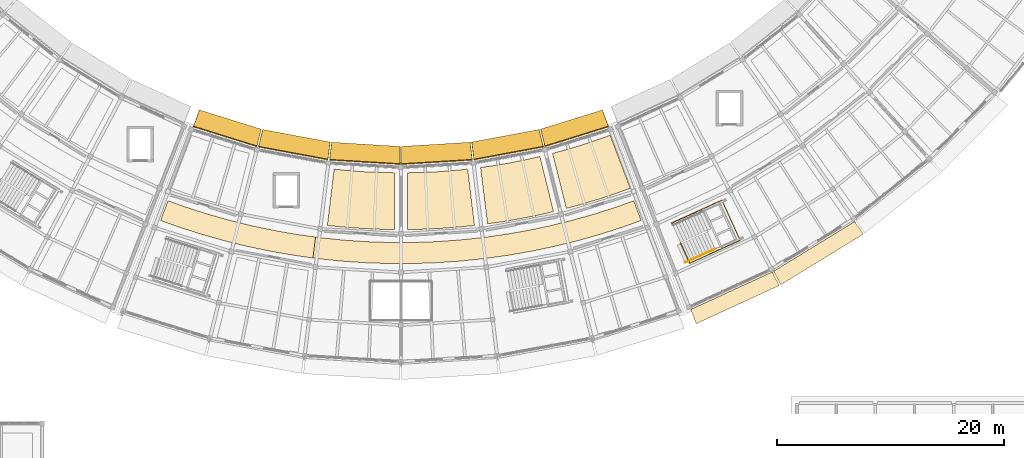
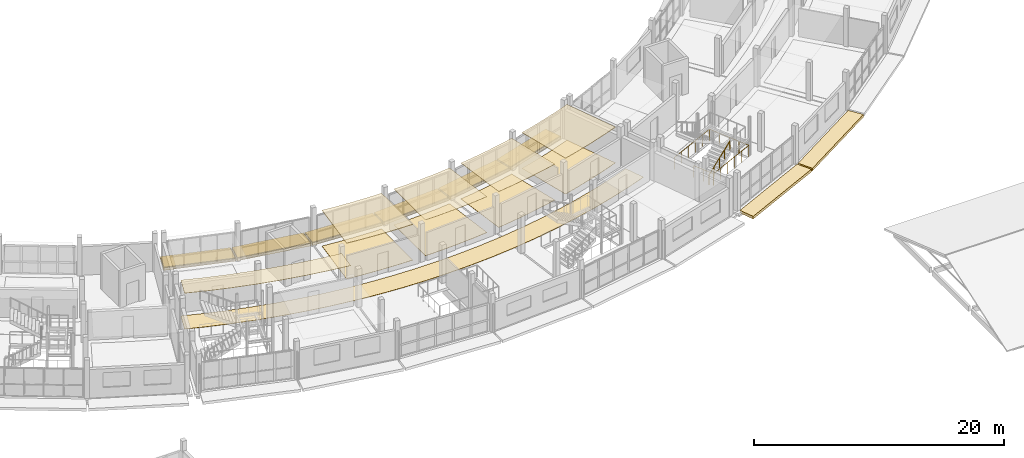
# One storey, part 64 of 66: 18 coverings, 6 shading devices, 2 railings.
"""IFC4 building model written with IfcOpenShell, lengths in metres."""

from ifc_helpers import new_model, si_unit, direction, frame, origin, origin_2d, place, context, subcontext, project, spatial, polyline, circle, outline, extrude, material, layer, layer_set, type_object, element, save


model = new_model("IFC4")

# Units and contexts
model_context = context("Model", 3, precision=1e-05, world=origin(), true_north=direction((0.0, 1.0)))
body_context = subcontext(model_context, "Body", "Model", "MODEL_VIEW")
ifc_project = project(units=[si_unit("LENGTHUNIT", "METRE"), si_unit("AREAUNIT", "SQUARE_METRE"), si_unit("VOLUMEUNIT", "CUBIC_METRE"), si_unit("PLANEANGLEUNIT", "RADIAN"), si_unit("MASSUNIT", "GRAM", prefix="KILO")], contexts=[model_context])

# Site, building, storey
site_placement = place(None, origin())
site = spatial("IfcSite", under=ifc_project, at=site_placement, CompositionType="ELEMENT")
building_placement = place(site_placement, origin())
building = spatial("IfcBuilding", under=site, at=building_placement, Name="Caldaven Crescent School", CompositionType="ELEMENT")
storey_placement = place(building_placement, frame((0.0, 0.0, 8.159912109375)))
storey = spatial("IfcBuildingStorey", under=building, at=storey_placement, Name="L02", CompositionType="ELEMENT", Elevation=8.159912109375)

# Coverings
ifc_material_1 = material(Name="White architectural GFRC precast concrete C35/45 cladding", Category="concrete")
ifc_layer_1 = layer(ifc_material_1, 0.260009765625)
ifc_layer_set_1 = layer_set([ifc_layer_1], Name="White architectural GFRC precast concrete C35/45 cladding")
covering_type_1 = type_object("IfcCoveringType", Name="COV-CLD1", PredefinedType="CLADDING", material=ifc_layer_set_1)
covering_1_placement = place(storey_placement, frame((0.0, 0.0, -0.260009765625)))
element("IfcCovering", 1, at=covering_1_placement, inside=storey, type_object=covering_type_1, Name="CLD-IN-L02-041", PredefinedType="CLADDING", context=body_context, shape_type="SweptSolid", body=[
    extrude(outline(polyline([(70.241943359375, 48.618408203125), (75.707275390625, 46.915771484375), (75.318603515625, 45.36376953125), (69.680419921875, 47.120361328125), (70.241943359375, 48.618408203125)])), origin(), (0.0, 0.0, 1.0), 0.260009765625),
])
covering_2_placement = place(storey_placement, frame((0.0, 0.0, -0.260009765625)))
element("IfcCovering", 2, at=covering_2_placement, inside=storey, type_object=covering_type_1, Name="CLD-IN-L02-043", PredefinedType="CLADDING", context=body_context, shape_type="SweptSolid", body=[
    extrude(outline(polyline([(75.81005859375, 46.89013671875), (81.78076171875, 45.78369140625), (81.584228515625, 44.19580078125), (75.4248046875, 45.33740234375), (75.81005859375, 46.89013671875)])), origin(), (0.0, 0.0, 1.0), 0.260009765625),
])
covering_3_placement = place(storey_placement, frame((0.0, 0.0, -0.260009765625)))
element("IfcCovering", 3, at=covering_3_placement, inside=storey, type_object=covering_type_1, Name="CLD-IN-L02-045", PredefinedType="CLADDING", context=body_context, shape_type="SweptSolid", body=[
    extrude(outline(polyline([(81.885986328125, 45.770751953125), (87.947021484375, 45.400146484375), (87.9453125, 43.800048828125), (81.692626953125, 44.182373046875), (81.885986328125, 45.770751953125)])), origin(), (0.0, 0.0, 1.0), 0.260009765625),
])
covering_4_placement = place(storey_placement, frame((0.0, 0.0, -0.260009765625)))
element("IfcCovering", 4, at=covering_4_placement, inside=storey, type_object=covering_type_1, Name="CLD-IN-L02-047", PredefinedType="CLADDING", context=body_context, shape_type="SweptSolid", body=[
    extrude(outline(polyline([(88.052978515625, 45.400146484375), (94.114013671875, 45.770751953125), (94.307373046875, 44.182373046875), (88.0546875, 43.800048828125), (88.052978515625, 45.400146484375)])), origin(), (0.0, 0.0, 1.0), 0.260009765625),
])
covering_5_placement = place(storey_placement, frame((0.0, 0.0, -0.260009765625)))
element("IfcCovering", 5, at=covering_5_placement, inside=storey, type_object=covering_type_1, Name="CLD-IN-L02-049", PredefinedType="CLADDING", context=body_context, shape_type="SweptSolid", body=[
    extrude(outline(polyline([(94.21923828125, 45.78369140625), (100.18994140625, 46.89013671875), (100.5751953125, 45.33740234375), (94.415771484375, 44.19580078125), (94.21923828125, 45.78369140625)])), origin(), (0.0, 0.0, 1.0), 0.260009765625),
])
covering_6_placement = place(storey_placement, frame((0.0, 0.0, -0.260009765625)))
element("IfcCovering", 6, at=covering_6_placement, inside=storey, type_object=covering_type_1, Name="CLD-IN-L02-051", PredefinedType="CLADDING", context=body_context, shape_type="SweptSolid", body=[
    extrude(outline(polyline([(100.292724609375, 46.915771484375), (105.758056640625, 48.618408203125), (106.319580078125, 47.120361328125), (100.681396484375, 45.36376953125), (100.292724609375, 46.915771484375)])), origin(), (0.0, 0.0, 1.0), 0.260009765625),
])
ifc_layer_2 = layer(ifc_material_1, 0.260009765625)
ifc_layer_set_2 = layer_set([ifc_layer_2], Name="White architectural GFRC precast concrete C35/45 cladding")
covering_type_2 = type_object("IfcCoveringType", Name="COV-CLD2", PredefinedType="CLADDING", material=ifc_layer_set_2)
covering_7_placement = place(storey_placement, frame((0.0, 0.0, -0.260009765625)))
element("IfcCovering", 7, at=covering_7_placement, inside=storey, type_object=covering_type_2, Name="CLD-OUT-L02-054", PredefinedType="CLADDING", context=body_context, shape_type="SweptSolid", body=[
    extrude(outline(polyline([(113.5302734375, 31.03662109375), (120.70458984375, 34.3359375), (121.337158203125, 33.143310546875), (114.02392578125, 29.780029296875), (113.5302734375, 31.03662109375)])), origin(), (0.0, 0.0, 1.0), 0.260009765625),
])
covering_8_placement = place(storey_placement, frame((0.0, 0.0, -0.260009765625)))
element("IfcCovering", 8, at=covering_8_placement, inside=storey, type_object=covering_type_2, Name="CLD-OUT-L02-056", PredefinedType="CLADDING", context=body_context, shape_type="SweptSolid", body=[
    extrude(outline(polyline([(120.833740234375, 34.404541015625), (127.975830078125, 38.78125), (128.7490234375, 37.674560546875), (121.46875, 33.21337890625), (120.833740234375, 34.404541015625)])), origin(), (0.0, 0.0, 1.0), 0.260009765625),
])
ifc_material_2 = material(Name="Perforated Pino Radiata acoustic timber baffle ceiling", Category="wood")
ifc_layer_3 = layer(ifc_material_2, 0.030029296875)
ifc_layer_set_3 = layer_set([ifc_layer_3], Name="Perforated Pino Radiata acoustic timber baffle ceiling")
covering_type_3 = type_object("IfcCoveringType", Name="COV-CLG1", PredefinedType="CEILING", material=ifc_layer_set_3)
covering_9_placement = place(storey_placement, frame((0.0, 0.0, 3.489990234375)))
element("IfcCovering", 9, at=covering_9_placement, inside=storey, type_object=covering_type_3, Name="CLG-L02-148", PredefinedType="CEILING", context=body_context, shape_type="SweptSolid", body=[
    extrude(outline(polyline([(68.972900390625, 40.078369140625), (68.987548828125, 40.073486328125), (70.91357421875, 39.455078125), (70.928466796875, 39.45068359375), (72.87451171875, 38.8994140625), (72.889404296875, 38.8955078125), (74.853515625, 38.41162109375), (74.86865234375, 38.408203125), (76.848388671875, 37.9921875), (76.863525390625, 37.989501953125), (78.856201171875, 37.64208984375), (78.87158203125, 37.6396484375), (80.481689453125, 37.416015625), (80.252685546875, 35.5703125), (78.576416015625, 35.80322265625), (76.5048828125, 36.164306640625), (74.447509765625, 36.596435546875), (72.406005859375, 37.099365234375), (70.383056640625, 37.67236328125), (68.381103515625, 38.31494140625), (66.826171875, 38.8740234375), (67.4853515625, 40.613037109375), (68.972900390625, 40.078369140625)])), origin(), (0.0, 0.0, 1.0), 0.030029296875),
])
covering_10_placement = place(storey_placement, frame((0.0, 0.0, 3.489990234375)))
element("IfcCovering", 10, at=covering_10_placement, inside=storey, type_object=covering_type_3, Name="CLG-L02-152", PredefinedType="CEILING", context=body_context, shape_type="SweptSolid", body=[
    extrude(outline(polyline([(89.670654296875, 43.096435546875), (89.683837890625, 43.096923828125), (91.224609375, 43.16845703125), (91.23779296875, 43.169189453125), (92.776123046875, 43.285888671875), (92.789306640625, 43.287109375), (93.88232421875, 43.402587890625), (94.480224609375, 38.438720703125), (93.234375, 38.306884765625), (91.53662109375, 38.177978515625), (89.83544921875, 38.09912109375), (88.5830078125, 38.077880859375), (88.5712890625, 43.07763671875), (89.670654296875, 43.096435546875)])), origin(), (0.0, 0.0, 1.0), 0.030029296875),
])
ifc_layer_4 = layer(ifc_material_2, 0.0380859375)
ifc_layer_set_4 = layer_set([ifc_layer_4], Name="Perforated Pino Radiata acoustic timber baffle ceiling")
covering_type_4 = type_object("IfcCoveringType", Name="COV-CLG2", PredefinedType="CEILING", material=ifc_layer_set_4)
covering_11_placement = place(storey_placement, frame((0.0, 0.0, 3.482177734375)))
element("IfcCovering", 11, at=covering_11_placement, inside=storey, type_object=covering_type_4, Name="CLG-L02-153", PredefinedType="CEILING", context=body_context, shape_type="SweptSolid", body=[
    extrude(outline(polyline([(96.10546875, 43.6943359375), (96.118408203125, 43.6962890625), (97.63916015625, 43.955078125), (97.652099609375, 43.95751953125), (99.164794921875, 44.260986328125), (99.177490234375, 44.263916015625), (100.24853515625, 44.511474609375), (101.447021484375, 39.657470703125), (100.2265625, 39.375), (98.556884765625, 39.0400390625), (96.878173828125, 38.75439453125), (95.637451171875, 38.58056640625), (95.016845703125, 43.5419921875), (96.10546875, 43.6943359375)])), origin(), (0.0, 0.0, 1.0), 0.037841796875),
])
ifc_layer_5 = layer(ifc_material_2, 0.0458984375)
ifc_layer_set_5 = layer_set([ifc_layer_5], Name="Perforated Pino Radiata acoustic timber baffle ceiling")
covering_type_5 = type_object("IfcCoveringType", Name="COV-CLG3", PredefinedType="CEILING", material=ifc_layer_set_5)
covering_12_placement = place(storey_placement, frame((0.0, 0.0, 3.47412109375)))
element("IfcCovering", 12, at=covering_12_placement, inside=storey, type_object=covering_type_5, Name="CLG-L02-154", PredefinedType="CEILING", context=body_context, shape_type="SweptSolid", body=[
    extrude(outline(polyline([(102.41943359375, 45.072021484375), (102.43212890625, 45.07568359375), (103.909912109375, 45.517822265625), (103.922607421875, 45.521728515625), (105.386962890625, 46.00732421875), (105.3994140625, 46.01171875), (106.43212890625, 46.38818359375), (108.21337890625, 41.716064453125), (107.0361328125, 41.287109375), (105.419921875, 40.751220703125), (103.78857421875, 40.26318359375), (102.578369140625, 39.939453125), (101.357666015625, 44.7880859375), (102.41943359375, 45.072021484375)])), origin(), (0.0, 0.0, 1.0), 0.0458984375),
])
ifc_layer_6 = layer(ifc_material_2, 0.053955078125)
ifc_layer_set_6 = layer_set([ifc_layer_6], Name="Perforated Pino Radiata acoustic timber baffle ceiling")
covering_type_6 = type_object("IfcCoveringType", Name="COV-CLG4", PredefinedType="CEILING", material=ifc_layer_set_6)
covering_13_placement = place(storey_placement, frame((0.0, 0.0, 3.466064453125)))
element("IfcCovering", 13, at=covering_13_placement, inside=storey, type_object=covering_type_6, Name="CLG-L02-151", PredefinedType="CEILING", context=body_context, shape_type="SweptSolid", body=[
    extrude(outline(polyline([(83.210693359375, 43.287109375), (83.223876953125, 43.285888671875), (84.76220703125, 43.169189453125), (84.775390625, 43.16845703125), (86.316162109375, 43.096923828125), (86.329345703125, 43.096435546875), (87.4287109375, 43.07763671875), (87.4169921875, 38.077880859375), (86.16455078125, 38.09912109375), (84.46337890625, 38.177978515625), (82.765625, 38.306884765625), (81.519775390625, 38.438720703125), (82.11767578125, 43.402587890625), (83.210693359375, 43.287109375)])), origin(), (0.0, 0.0, 1.0), 0.053955078125),
])
ifc_material_3 = material(Name="Polished terrazzo and acoustic linoleum flooring")
ifc_layer_7 = layer(ifc_material_3, 0.02001953125)
ifc_layer_set_7 = layer_set([ifc_layer_7], Name="Polished terrazzo and acoustic linoleum flooring")
covering_type_7 = type_object("IfcCoveringType", Name="COV-FLR1", PredefinedType="FLOORING", material=ifc_layer_set_7)
covering_14_placement = place(storey_placement, origin())
element("IfcCovering", 14, at=covering_14_placement, inside=storey, type_object=covering_type_7, Name="FLR-L02-153", PredefinedType="FLOORING", context=body_context, shape_type="SweptSolid", body=[
    extrude(outline(polyline([(95.016845703125, 43.5419921875), (96.10546875, 43.6943359375), (96.118408203125, 43.6962890625), (97.63916015625, 43.955078125), (97.652099609375, 43.95751953125), (99.164794921875, 44.260986328125), (99.177490234375, 44.263916015625), (100.24853515625, 44.511474609375), (101.447021484375, 39.657470703125), (100.2265625, 39.375), (98.556884765625, 39.0400390625), (96.878173828125, 38.75439453125), (95.637451171875, 38.58056640625), (95.016845703125, 43.5419921875)])), origin(), (0.0, 0.0, 1.0), 0.02001953125),
])
ifc_layer_8 = layer(ifc_material_3, 0.02587890625)
ifc_layer_set_8 = layer_set([ifc_layer_8], Name="Polished terrazzo and acoustic linoleum flooring")
covering_type_8 = type_object("IfcCoveringType", Name="COV-FLR2", PredefinedType="FLOORING", material=ifc_layer_set_8)
covering_15_placement = place(storey_placement, origin())
element("IfcCovering", 15, at=covering_15_placement, inside=storey, type_object=covering_type_8, Name="FLR-L02-148", PredefinedType="FLOORING", context=body_context, shape_type="SweptSolid", body=[
    extrude(outline(polyline([(67.4853515625, 40.613037109375), (68.972900390625, 40.078369140625), (68.987548828125, 40.073486328125), (70.91357421875, 39.455078125), (70.928466796875, 39.45068359375), (72.87451171875, 38.8994140625), (72.889404296875, 38.8955078125), (74.853515625, 38.41162109375), (74.86865234375, 38.408203125), (76.848388671875, 37.9921875), (76.863525390625, 37.989501953125), (78.856201171875, 37.64208984375), (78.87158203125, 37.6396484375), (80.875244140625, 37.361328125), (80.890625, 37.359375), (82.902587890625, 37.150390625), (82.918212890625, 37.149169921875), (84.93603515625, 37.009521484375), (84.951416015625, 37.0087890625), (86.97314453125, 36.93896484375), (86.988525390625, 36.938720703125), (89.011474609375, 36.938720703125), (89.02685546875, 36.93896484375), (91.048583984375, 37.0087890625), (91.06396484375, 37.009521484375), (93.081787109375, 37.149169921875), (93.097412109375, 37.150390625), (95.109375, 37.359375), (95.124755859375, 37.361328125), (97.12841796875, 37.6396484375), (97.143798828125, 37.64208984375), (99.136474609375, 37.989501953125), (99.151611328125, 37.9921875), (101.13134765625, 38.408203125), (101.146484375, 38.41162109375), (103.110595703125, 38.8955078125), (103.12548828125, 38.8994140625), (105.071533203125, 39.45068359375), (105.08642578125, 39.455078125), (107.012451171875, 40.073486328125), (107.027099609375, 40.078369140625), (108.5146484375, 40.613037109375), (109.173828125, 38.8740234375), (107.618896484375, 38.31494140625), (105.616943359375, 37.67236328125), (103.593994140625, 37.099365234375), (101.552490234375, 36.596435546875), (99.4951171875, 36.164306640625), (97.423583984375, 35.80322265625), (95.34130859375, 35.513916015625), (93.25, 35.296630859375), (91.152587890625, 35.151611328125), (89.05126953125, 35.0791015625), (86.94873046875, 35.0791015625), (84.847412109375, 35.151611328125), (82.75, 35.296630859375), (80.65869140625, 35.513916015625), (78.576416015625, 35.80322265625), (76.5048828125, 36.164306640625), (74.447509765625, 36.596435546875), (72.406005859375, 37.099365234375), (70.383056640625, 37.67236328125), (68.381103515625, 38.31494140625), (66.826171875, 38.8740234375), (67.4853515625, 40.613037109375)])), origin(), (0.0, 0.0, 1.0), 0.026123046875),
])
covering_16_placement = place(storey_placement, origin())
element("IfcCovering", 16, at=covering_16_placement, inside=storey, type_object=covering_type_8, Name="FLR-L02-151", PredefinedType="FLOORING", context=body_context, shape_type="SweptSolid", body=[
    extrude(outline(polyline([(82.11767578125, 43.402587890625), (83.210693359375, 43.287109375), (83.223876953125, 43.285888671875), (84.76220703125, 43.169189453125), (84.775390625, 43.16845703125), (86.316162109375, 43.096923828125), (86.329345703125, 43.096435546875), (87.4287109375, 43.07763671875), (87.4169921875, 38.077880859375), (86.16455078125, 38.09912109375), (84.46337890625, 38.177978515625), (82.765625, 38.306884765625), (81.519775390625, 38.438720703125), (82.11767578125, 43.402587890625)])), origin(), (0.0, 0.0, 1.0), 0.026123046875),
])
covering_17_placement = place(storey_placement, origin())
element("IfcCovering", 17, at=covering_17_placement, inside=storey, type_object=covering_type_8, Name="FLR-L02-154", PredefinedType="FLOORING", context=body_context, shape_type="SweptSolid", body=[
    extrude(outline(polyline([(101.357666015625, 44.7880859375), (102.41943359375, 45.072021484375), (102.43212890625, 45.07568359375), (103.909912109375, 45.517822265625), (103.922607421875, 45.521728515625), (105.386962890625, 46.00732421875), (105.3994140625, 46.01171875), (106.43212890625, 46.38818359375), (108.21337890625, 41.716064453125), (107.0361328125, 41.287109375), (105.419921875, 40.751220703125), (103.78857421875, 40.26318359375), (102.578369140625, 39.939453125), (101.357666015625, 44.7880859375)])), origin(), (0.0, 0.0, 1.0), 0.026123046875),
])
ifc_layer_9 = layer(ifc_material_3, 0.031982421875)
ifc_layer_set_9 = layer_set([ifc_layer_9], Name="Polished terrazzo and acoustic linoleum flooring")
covering_type_9 = type_object("IfcCoveringType", Name="COV-FLR3", PredefinedType="FLOORING", material=ifc_layer_set_9)
covering_18_placement = place(storey_placement, origin())
element("IfcCovering", 18, at=covering_18_placement, inside=storey, type_object=covering_type_9, Name="FLR-L02-152", PredefinedType="FLOORING", context=body_context, shape_type="SweptSolid", body=[
    extrude(outline(polyline([(88.5712890625, 43.07763671875), (89.670654296875, 43.096435546875), (89.683837890625, 43.096923828125), (91.224609375, 43.16845703125), (91.23779296875, 43.169189453125), (92.776123046875, 43.285888671875), (92.789306640625, 43.287109375), (93.88232421875, 43.402587890625), (94.480224609375, 38.438720703125), (93.234375, 38.306884765625), (91.53662109375, 38.177978515625), (89.83544921875, 38.09912109375), (88.5830078125, 38.077880859375), (88.5712890625, 43.07763671875)])), origin(), (0.0, 0.0, 1.0), 0.031982421875),
])

# Railings
ifc_material_4 = material(Name="Brushed stainless-steel continuous tubular handrail", Category="steel")
railing_type_1 = type_object("IfcRailingType", Name="RAL-HR4", PredefinedType="HANDRAIL", material=ifc_material_4)
railing_1_placement = place(storey_placement, frame((113.043701171875, 35.162841796875, 0.173095703125)))
element("IfcRailing", 19, at=railing_1_placement, inside=storey, type_object=railing_type_1, Name="HR-ST4-L02-F1", PredefinedType="HANDRAIL", context=body_context, shape_type="SweptSolid", body=[
    extrude(circle(Radius=0.02392578125, at=origin_2d()), frame((0.0, 0.0, 0.916015625), z_axis=(0.785048939612, 0.357698772096, 0.505717066011), x_axis=(-0.414627358551, 0.909991293113, 0.0)), (0.0, 0.0, 1.0), 3.361572265625),
    extrude(circle(Radius=0.02099609375, at=origin_2d()), origin(), (0.0, 0.0, 1.0), 0.891845703125),
    extrude(circle(Radius=0.02099609375, at=origin_2d()), frame((0.65966796875, 0.300537109375, 0.425048828125)), (0.0, 0.0, 1.0), 0.891845703125),
    extrude(circle(Radius=0.02099609375, at=origin_2d()), frame((1.3193359375, 0.60107421875, 0.85009765625)), (0.0, 0.0, 1.0), 0.891845703125),
    extrude(circle(Radius=0.02099609375, at=origin_2d()), frame((1.979248046875, 0.90185546875, 1.27490234375)), (0.0, 0.0, 1.0), 0.891845703125),
    extrude(circle(Radius=0.02099609375, at=origin_2d()), frame((2.638916015625, 1.202392578125, 1.699951171875)), (0.0, 0.0, 1.0), 0.891845703125),
])
ifc_material_5 = material(Name="Powder-coated tubular steel balustrade ASTM A572 Grade 50", Category="steel")
railing_type_2 = type_object("IfcRailingType", Name="RAL-INT3", PredefinedType="BALUSTRADE", material=ifc_material_5)
railing_2_placement = place(storey_placement, frame((112.63671875, 36.89501953125, 0.0)))
element("IfcRailing", 20, at=railing_2_placement, inside=storey, type_object=railing_type_2, Name="GD-WELL-ST4-L02", PredefinedType="BALUSTRADE", context=body_context, shape_type="SweptSolid", body=[
    extrude(circle(Radius=0.02392578125, at=origin_2d()), frame((0.0, 0.0, 1.1259765625), z_axis=(0.414670598092, -0.909971590259, 0.0), x_axis=(0.909971590259, 0.414670598092, 0.0)), (0.0, 0.0, 1.0), 1.949951171875),
    extrude(circle(Radius=0.02392578125, at=origin_2d()), frame((0.80859375, -1.7744140625, 1.1259765625), z_axis=(0.909973988672, 0.414665334867, 0.0), x_axis=(-0.414665334867, 0.909973988672, 0.0)), (0.0, 0.0, 1.0), 4.862060546875),
    extrude(circle(Radius=0.02392578125, at=origin_2d()), frame((5.23291015625, 0.24169921875, 1.1259765625), z_axis=(-0.414717666462, 0.909950139911, 0.0), x_axis=(-0.909950139911, -0.414717666462, 0.0)), (0.0, 0.0, 1.0), 3.860107421875),
    extrude(circle(Radius=0.02392578125, at=origin_2d()), frame((3.632080078125, 3.754150390625, 1.1259765625), z_axis=(-0.909965353956, -0.41468428304, 0.0), x_axis=(0.41468428304, -0.909965353956, 0.0)), (0.0, 0.0, 1.0), 4.86181640625),
    extrude(circle(Radius=0.02099609375, at=origin_2d()), origin(), (0.0, 0.0, 1.0), 1.101806640625),
    extrude(circle(Radius=0.02099609375, at=origin_2d()), frame((0.404296875, -0.88720703125, 0.0)), (0.0, 0.0, 1.0), 1.101806640625),
    extrude(circle(Radius=0.02099609375, at=origin_2d()), frame((0.80859375, -1.7744140625, 0.0)), (0.0, 0.0, 1.0), 1.101806640625),
    extrude(circle(Radius=0.02099609375, at=origin_2d()), frame((1.693359375, -1.37109375, 0.0)), (0.0, 0.0, 1.0), 1.101806640625),
    extrude(circle(Radius=0.02099609375, at=origin_2d()), frame((2.578369140625, -0.968017578125, 0.0)), (0.0, 0.0, 1.0), 1.101806640625),
    extrude(circle(Radius=0.02099609375, at=origin_2d()), frame((3.463134765625, -0.564697265625, 0.0)), (0.0, 0.0, 1.0), 1.101806640625),
    extrude(circle(Radius=0.02099609375, at=origin_2d()), frame((4.34814453125, -0.16162109375, 0.0)), (0.0, 0.0, 1.0), 1.101806640625),
    extrude(circle(Radius=0.02099609375, at=origin_2d()), frame((5.23291015625, 0.24169921875, 0.0)), (0.0, 0.0, 1.0), 1.101806640625),
    extrude(circle(Radius=0.02099609375, at=origin_2d()), frame((4.832763671875, 1.119873046875, 0.0)), (0.0, 0.0, 1.0), 1.101806640625),
    extrude(circle(Radius=0.02099609375, at=origin_2d()), frame((4.4326171875, 1.998046875, 0.0)), (0.0, 0.0, 1.0), 1.101806640625),
    extrude(circle(Radius=0.02099609375, at=origin_2d()), frame((4.0322265625, 2.8759765625, 0.0)), (0.0, 0.0, 1.0), 1.101806640625),
    extrude(circle(Radius=0.02099609375, at=origin_2d()), frame((3.632080078125, 3.754150390625, 0.0)), (0.0, 0.0, 1.0), 1.101806640625),
    extrude(circle(Radius=0.02099609375, at=origin_2d()), frame((2.747314453125, 3.350830078125, 0.0)), (0.0, 0.0, 1.0), 1.101806640625),
    extrude(circle(Radius=0.02099609375, at=origin_2d()), frame((1.862548828125, 2.94775390625, 0.0)), (0.0, 0.0, 1.0), 1.101806640625),
    extrude(circle(Radius=0.02099609375, at=origin_2d()), frame((0.9775390625, 2.54443359375, 0.0)), (0.0, 0.0, 1.0), 1.101806640625),
    extrude(circle(Radius=0.02099609375, at=origin_2d()), frame((0.0927734375, 2.141357421875, 0.0)), (0.0, 0.0, 1.0), 1.101806640625),
    extrude(circle(Radius=0.02099609375, at=origin_2d()), frame((-0.7919921875, 1.738037109375, 0.0)), (0.0, 0.0, 1.0), 1.101806640625),
])

# Shading devices
ifc_material_6 = material(Name="Precast concrete C35/45", Category="concrete")
ifc_layer_10 = layer(ifc_material_6, 0.139892578125)
ifc_layer_set_10 = layer_set([ifc_layer_10], Name="Precast concrete C35/45")
shading_device_type = type_object("IfcShadingDeviceType", Name="SHD-S01", PredefinedType="AWNING", material=ifc_layer_set_10)
shading_device_1_placement = place(storey_placement, frame((0.0, 0.0, -0.139892578125)))
element("IfcShadingDevice", 21, at=shading_device_1_placement, inside=storey, type_object=shading_device_type, Name="SHD-LDG-L02-027", PredefinedType="AWNING", context=body_context, shape_type="SweptSolid", body=[
    extrude(outline(polyline([(70.25830078125, 48.6123046875), (75.690185546875, 46.920166015625), (75.3203125, 45.44580078125), (69.7255859375, 47.188720703125), (70.25830078125, 48.6123046875)])), origin(), (0.0, 0.0, 1.0), 0.139892578125),
])
shading_device_2_placement = place(storey_placement, frame((0.0, 0.0, -0.139892578125)))
element("IfcShadingDevice", 22, at=shading_device_2_placement, inside=storey, type_object=shading_device_type, Name="SHD-LDG-L02-029", PredefinedType="AWNING", context=body_context, shape_type="SweptSolid", body=[
    extrude(outline(polyline([(75.827392578125, 46.885986328125), (81.76318359375, 45.785888671875), (81.575927734375, 44.27734375), (75.461669921875, 45.41064453125), (75.827392578125, 46.885986328125)])), origin(), (0.0, 0.0, 1.0), 0.139892578125),
])
shading_device_3_placement = place(storey_placement, frame((0.0, 0.0, -0.139892578125)))
element("IfcShadingDevice", 23, at=shading_device_3_placement, inside=storey, type_object=shading_device_type, Name="SHD-LDG-L02-031", PredefinedType="AWNING", context=body_context, shape_type="SweptSolid", body=[
    extrude(outline(polyline([(81.903564453125, 45.7685546875), (87.929443359375, 45.400146484375), (87.92724609375, 43.880126953125), (81.720458984375, 44.259765625), (81.903564453125, 45.7685546875)])), origin(), (0.0, 0.0, 1.0), 0.139892578125),
])
shading_device_4_placement = place(storey_placement, frame((0.0, 0.0, -0.139892578125)))
element("IfcShadingDevice", 24, at=shading_device_4_placement, inside=storey, type_object=shading_device_type, Name="SHD-LDG-L02-033", PredefinedType="AWNING", context=body_context, shape_type="SweptSolid", body=[
    extrude(outline(polyline([(88.070556640625, 45.400146484375), (94.096435546875, 45.7685546875), (94.279541015625, 44.259765625), (88.07275390625, 43.880126953125), (88.070556640625, 45.400146484375)])), origin(), (0.0, 0.0, 1.0), 0.139892578125),
])
shading_device_5_placement = place(storey_placement, frame((0.0, 0.0, -0.139892578125)))
element("IfcShadingDevice", 25, at=shading_device_5_placement, inside=storey, type_object=shading_device_type, Name="SHD-LDG-L02-035", PredefinedType="AWNING", context=body_context, shape_type="SweptSolid", body=[
    extrude(outline(polyline([(94.23681640625, 45.785888671875), (100.172607421875, 46.885986328125), (100.538330078125, 45.41064453125), (94.424072265625, 44.27734375), (94.23681640625, 45.785888671875)])), origin(), (0.0, 0.0, 1.0), 0.139892578125),
])
shading_device_6_placement = place(storey_placement, frame((0.0, 0.0, -0.139892578125)))
element("IfcShadingDevice", 26, at=shading_device_6_placement, inside=storey, type_object=shading_device_type, Name="SHD-LDG-L02-037", PredefinedType="AWNING", context=body_context, shape_type="SweptSolid", body=[
    extrude(outline(polyline([(100.309814453125, 46.920166015625), (105.74169921875, 48.6123046875), (106.2744140625, 47.188720703125), (100.6796875, 45.44580078125), (100.309814453125, 46.920166015625)])), origin(), (0.0, 0.0, 1.0), 0.139892578125),
])

save(model, "model.ifc")
